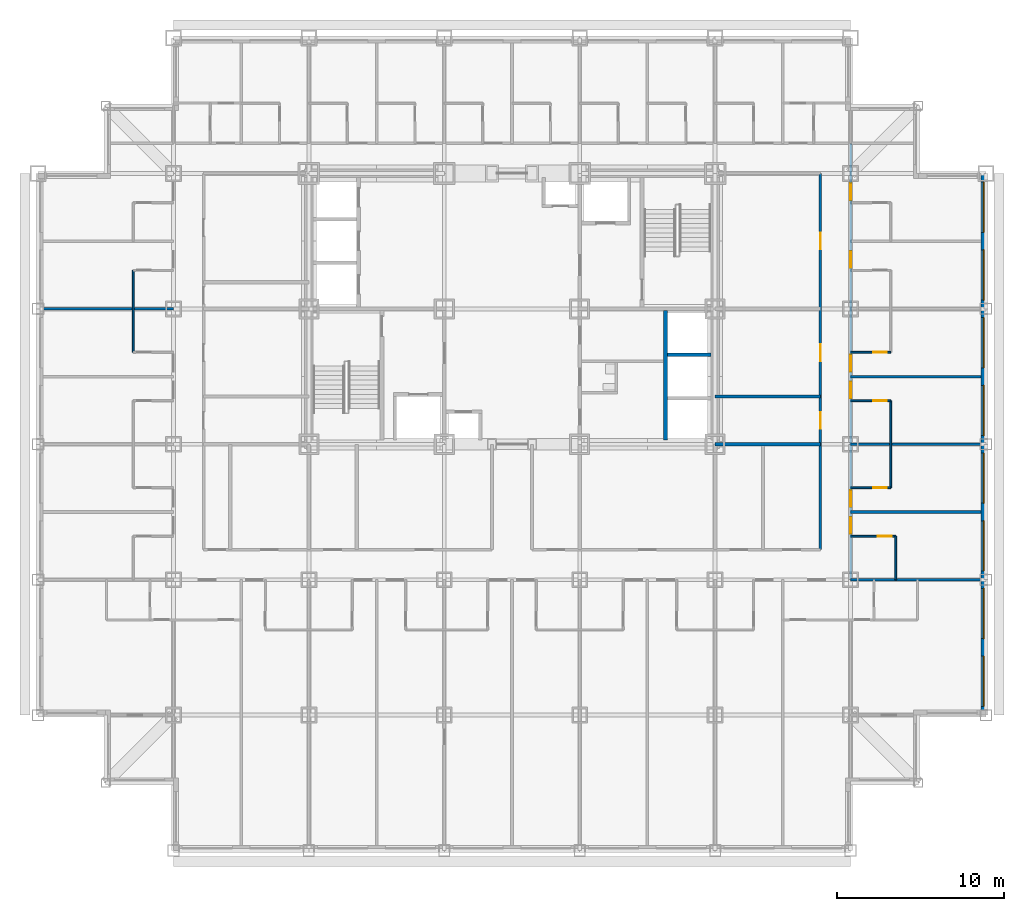
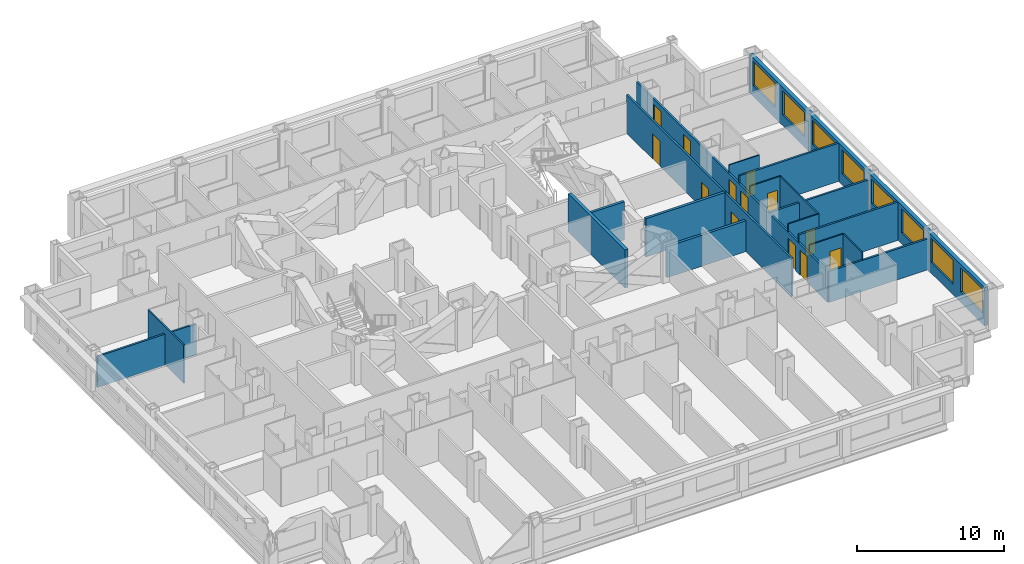
# One storey, part 7 of 13: 19 walls, 13 doors, 8 windows, 21 openings.
"""IFC4 building model written with IfcOpenShell, lengths in metres."""

from ifc_helpers import new_model, si_unit, direction, frame, frame_2d, origin, place, context, subcontext, project, spatial, rectangle, extrude, material, layer, layer_set, type_object, element, fill, save


model = new_model("IFC4")

# Units and contexts
model_context = context("Model", 3, precision=1e-05, world=origin(), true_north=direction((0.0, 1.0)))
body_context = subcontext(model_context, "Body", "Model", "MODEL_VIEW")
ifc_project = project(units=[si_unit("LENGTHUNIT", "METRE"), si_unit("AREAUNIT", "SQUARE_METRE"), si_unit("VOLUMEUNIT", "CUBIC_METRE"), si_unit("PLANEANGLEUNIT", "RADIAN"), si_unit("MASSUNIT", "GRAM", prefix="KILO")], contexts=[model_context])

# Site, building, storey
site_placement = place(None, origin())
site = spatial("IfcSite", under=ifc_project, at=site_placement, CompositionType="ELEMENT")
building_placement = place(site_placement, origin())
building = spatial("IfcBuilding", under=site, at=building_placement, Name="Kopane Lantern Tower", CompositionType="ELEMENT")
storey_placement = place(building_placement, frame((0.0, 0.0, 50.0)))
storey = spatial("IfcBuildingStorey", under=building, at=storey_placement, Name="L11", CompositionType="ELEMENT", Elevation=50.0)

# Walls
ifc_material_1 = material(Name="Moisture-resistant board on steel studs", Category="steel")
ifc_layer_1 = layer(ifc_material_1, 0.10009765625)
ifc_layer_set_1 = layer_set([ifc_layer_1], Name="BATHROOM WALL 100")
wall_type_1 = type_object("IfcWallType", Name="BATHROOM WALL 100", PredefinedType="PARTITIONING", material=ifc_layer_set_1)
wall_1_placement = place(storey_placement, frame((5.699951171875, 29.800048828125, 0.0), z_axis=(0.0, 0.0, 1.0), x_axis=(0.0, 1.0, 0.0)))
element("IfcWall", 1, at=wall_1_placement, inside=storey, type_object=wall_type_1, Name="Bathroom Wall 100 L11", PredefinedType="PARTITIONING", context=body_context, shape_type="SweptSolid", body=[
    extrude(rectangle(XDim=4.89990234375, YDim=0.10009765625, at=frame_2d((2.449951171875, 0.0))), origin(), (0.0, 0.0, 1.0), 3.18994140625),
])
wall_2_placement = place(storey_placement, frame((51.300048828125, 16.199951171875, 0.0), z_axis=(0.0, 0.0, 1.0), x_axis=(0.0, 1.0, 0.0)))
element("IfcWall", 2, at=wall_2_placement, inside=storey, type_object=wall_type_1, Name="Bathroom Wall 100 L11", PredefinedType="PARTITIONING", context=body_context, shape_type="SweptSolid", body=[
    extrude(rectangle(XDim=2.60009765625, YDim=0.10009765625, at=frame_2d((1.300048828125, 0.0))), origin(), (0.0, 0.0, 1.0), 3.18994140625),
])

# Wall, opening, door
wall_3_placement = place(storey_placement, frame((48.60009765625, 18.800048828125, 0.0), z_axis=(0.0, 0.0, 1.0), x_axis=(1.0, 0.0, 0.0)))
wall_3 = element("IfcWall", 3, at=wall_3_placement, inside=storey, type_object=wall_type_1, Name="Bathroom Wall 100 L11", PredefinedType="PARTITIONING", context=body_context, shape_type="SweptSolid", body=[
    extrude(rectangle(XDim=2.699951171875, YDim=0.10009765625, at=frame_2d((1.35009765625, 0.0))), origin(), (0.0, 0.0, 1.0), 3.18994140625),
])
opening_1_placement = place(wall_3_placement, frame((1.625, 0.0, 0.0)))
opening_1 = element("IfcOpeningElement", 4, at=opening_1_placement, cuts=wall_3, Name="Opening L11-061", PredefinedType="OPENING", context=body_context, shape_type="SweptSolid", body=[
    extrude(rectangle(XDim=0.85009765625, YDim=2.10009765625, at=frame_2d((0.425048828125, 1.050048828125))), frame((0.0, 0.06005859375, 0.0), z_axis=(0.0, -1.0, 0.0), x_axis=(1.0, 0.0, 0.0)), (0.0, 0.0, 1.0), 0.1201171875),
])
ifc_material_2 = material(Name="Timber door set", Category="wood")
door_type_1 = type_object("IfcDoorType", Name="DOOR D4 850x2100", OperationType="SINGLE_SWING_LEFT", PredefinedType="DOOR", material=ifc_material_2)
door_1_placement = place(opening_1_placement, origin())
door_1 = element("IfcDoor", 5, at=door_1_placement, inside=storey, type_object=door_type_1, Name="Door L11-061", OperationType="SINGLE_SWING_LEFT", OverallHeight=2.10009765625, OverallWidth=0.85009765625, PredefinedType="DOOR", context=body_context, shape_type="SweptSolid", body=[
    extrude(rectangle(XDim=0.85009765625, YDim=2.10009765625, at=frame_2d((0.425048828125, 1.050048828125))), frame((0.0, 0.02490234375, 0.0), z_axis=(0.0, -1.0, 0.0), x_axis=(1.0, 0.0, 0.0)), (0.0, 0.0, 1.0), 0.050048828125),
])
fill(opening_1, door_1)

# Wall
wall_4_placement = place(storey_placement, frame((51.0, 21.699951171875, 0.0), z_axis=(0.0, 0.0, 1.0), x_axis=(0.0, 1.0, 0.0)))
element("IfcWall", 6, at=wall_4_placement, inside=storey, type_object=wall_type_1, Name="Bathroom Wall 100 L11", PredefinedType="PARTITIONING", context=body_context, shape_type="SweptSolid", body=[
    extrude(rectangle(XDim=5.199951171875, YDim=0.10009765625, at=frame_2d((2.60009765625, 0.0))), origin(), (0.0, 0.0, 1.0), 3.18994140625),
])

# Wall, opening, door
wall_5_placement = place(storey_placement, frame((48.60009765625, 21.699951171875, 0.0), z_axis=(0.0, 0.0, 1.0), x_axis=(1.0, 0.0, 0.0)))
wall_5 = element("IfcWall", 7, at=wall_5_placement, inside=storey, type_object=wall_type_1, Name="Bathroom Wall 100 L11", PredefinedType="PARTITIONING", context=body_context, shape_type="SweptSolid", body=[
    extrude(rectangle(XDim=2.39990234375, YDim=0.10009765625, at=frame_2d((1.199951171875, 0.0))), origin(), (0.0, 0.0, 1.0), 3.18994140625),
])
opening_2_placement = place(wall_5_placement, frame((1.35009765625, 0.0, 0.0)))
opening_2 = element("IfcOpeningElement", 8, at=opening_2_placement, cuts=wall_5, Name="Opening L11-063", PredefinedType="OPENING", context=body_context, shape_type="SweptSolid", body=[
    extrude(rectangle(XDim=0.800048828125, YDim=2.10009765625, at=frame_2d((0.39990234375, 1.050048828125))), frame((0.0, 0.06005859375, 0.0), z_axis=(0.0, -1.0, 0.0), x_axis=(1.0, 0.0, 0.0)), (0.0, 0.0, 1.0), 0.1201171875),
])
ifc_material_3 = material(Name="Timber door set", Category="wood")
door_type_2 = type_object("IfcDoorType", Name="DOOR D2 800x2100", OperationType="SINGLE_SWING_LEFT", PredefinedType="DOOR", material=ifc_material_3)
door_2_placement = place(opening_2_placement, origin())
door_2 = element("IfcDoor", 9, at=door_2_placement, inside=storey, type_object=door_type_2, Name="Door L11-063", OperationType="SINGLE_SWING_RIGHT", OverallHeight=2.10009765625, OverallWidth=0.800048828125, PredefinedType="DOOR", context=body_context, shape_type="SweptSolid", body=[
    extrude(rectangle(XDim=0.800048828125, YDim=2.10009765625, at=frame_2d((0.39990234375, 1.050048828125))), frame((0.0, 0.02490234375, 0.0), z_axis=(0.0, -1.0, 0.0), x_axis=(1.0, 0.0, 0.0)), (0.0, 0.0, 1.0), 0.050048828125),
])
fill(opening_2, door_2)

wall_6_placement = place(storey_placement, frame((48.60009765625, 26.89990234375, 0.0), z_axis=(0.0, 0.0, 1.0), x_axis=(1.0, 0.0, 0.0)))
wall_6 = element("IfcWall", 10, at=wall_6_placement, inside=storey, type_object=wall_type_1, Name="Bathroom Wall 100 L11", PredefinedType="PARTITIONING", context=body_context, shape_type="SweptSolid", body=[
    extrude(rectangle(XDim=2.39990234375, YDim=0.10009765625, at=frame_2d((1.199951171875, 0.0))), origin(), (0.0, 0.0, 1.0), 3.18994140625),
])
opening_3_placement = place(wall_6_placement, frame((1.35009765625, 0.0, 0.0)))
opening_3 = element("IfcOpeningElement", 11, at=opening_3_placement, cuts=wall_6, Name="Opening L11-065", PredefinedType="OPENING", context=body_context, shape_type="SweptSolid", body=[
    extrude(rectangle(XDim=0.800048828125, YDim=2.10009765625, at=frame_2d((0.39990234375, 1.050048828125))), frame((0.0, 0.06005859375, 0.0), z_axis=(0.0, -1.0, 0.0), x_axis=(1.0, 0.0, 0.0)), (0.0, 0.0, 1.0), 0.1201171875),
])
door_3_placement = place(opening_3_placement, origin())
door_3 = element("IfcDoor", 12, at=door_3_placement, inside=storey, type_object=door_type_2, Name="Door L11-065", OperationType="SINGLE_SWING_LEFT", OverallHeight=2.10009765625, OverallWidth=0.800048828125, PredefinedType="DOOR", context=body_context, shape_type="SweptSolid", body=[
    extrude(rectangle(XDim=0.800048828125, YDim=2.10009765625, at=frame_2d((0.39990234375, 1.050048828125))), frame((0.0, 0.02490234375, 0.0), z_axis=(0.0, -1.0, 0.0), x_axis=(1.0, 0.0, 0.0)), (0.0, 0.0, 1.0), 0.050048828125),
])
fill(opening_3, door_3)

wall_7_placement = place(storey_placement, frame((48.60009765625, 29.800048828125, 0.0), z_axis=(0.0, 0.0, 1.0), x_axis=(1.0, 0.0, 0.0)))
wall_7 = element("IfcWall", 13, at=wall_7_placement, inside=storey, type_object=wall_type_1, Name="Bathroom Wall 100 L11", PredefinedType="PARTITIONING", context=body_context, shape_type="SweptSolid", body=[
    extrude(rectangle(XDim=2.39990234375, YDim=0.10009765625, at=frame_2d((1.199951171875, 0.0))), origin(), (0.0, 0.0, 1.0), 3.18994140625),
])
opening_4_placement = place(wall_7_placement, frame((1.35009765625, 0.0, 0.0)))
opening_4 = element("IfcOpeningElement", 14, at=opening_4_placement, cuts=wall_7, Name="Opening L11-067", PredefinedType="OPENING", context=body_context, shape_type="SweptSolid", body=[
    extrude(rectangle(XDim=0.800048828125, YDim=2.10009765625, at=frame_2d((0.39990234375, 1.050048828125))), frame((0.0, 0.06005859375, 0.0), z_axis=(0.0, -1.0, 0.0), x_axis=(1.0, 0.0, 0.0)), (0.0, 0.0, 1.0), 0.1201171875),
])
door_4_placement = place(opening_4_placement, origin())
door_4 = element("IfcDoor", 15, at=door_4_placement, inside=storey, type_object=door_type_2, Name="Door L11-067", OperationType="SINGLE_SWING_RIGHT", OverallHeight=2.10009765625, OverallWidth=0.800048828125, PredefinedType="DOOR", context=body_context, shape_type="SweptSolid", body=[
    extrude(rectangle(XDim=0.800048828125, YDim=2.10009765625, at=frame_2d((0.39990234375, 1.050048828125))), frame((0.0, 0.02490234375, 0.0), z_axis=(0.0, -1.0, 0.0), x_axis=(1.0, 0.0, 0.0)), (0.0, 0.0, 1.0), 0.050048828125),
])
fill(opening_4, door_4)

# Wall
ifc_material_4 = material(Name="Gypsum shaft wall EI 120", Category="gypsum")
ifc_layer_2 = layer(ifc_material_4, 0.25)
ifc_layer_set_2 = layer_set([ifc_layer_2], Name="CORE SHAFT WALL 250 EI 120")
wall_type_2 = type_object("IfcWallType", Name="CORE SHAFT WALL 250 EI 120", PredefinedType="SOLIDWALL", material=ifc_layer_set_2)
wall_8_placement = place(storey_placement, frame((37.52490234375, 24.550048828125, 0.0), z_axis=(0.0, 0.0, 1.0), x_axis=(0.0, 1.0, 0.0)))
element("IfcWall", 16, at=wall_8_placement, inside=storey, type_object=wall_type_2, Name="Core shaft wall L11 XLR", PredefinedType="SOLIDWALL", context=body_context, shape_type="SweptSolid", body=[
    extrude(rectangle(XDim=7.75, YDim=0.25, at=frame_2d((3.875, 0.0))), origin(), (0.0, 0.0, 1.0), 3.18994140625),
])

# Wall, openings, doors
ifc_material_5 = material(Name="Gypsum board on steel studs", Category="steel")
ifc_layer_3 = layer(ifc_material_5, 0.14990234375)
ifc_layer_set_3 = layer_set([ifc_layer_3], Name="CORRIDOR WALL 150 EI 60")
wall_type_3 = type_object("IfcWallType", Name="CORRIDOR WALL 150 EI 60", PredefinedType="PARTITIONING", material=ifc_layer_set_3)
wall_9_placement = place(storey_placement, frame((48.60009765625, 16.199951171875, 0.0), z_axis=(0.0, 0.0, 1.0), x_axis=(0.0, 1.0, 0.0)))
wall_9 = element("IfcWall", 17, at=wall_9_placement, inside=storey, type_object=wall_type_3, Name="Corridor Wall 150 Ei 60 L11", PredefinedType="PARTITIONING", context=body_context, shape_type="SweptSolid", body=[
    extrude(rectangle(XDim=26.10009765625, YDim=0.14990234375, at=frame_2d((13.050048828125, 0.0))), origin(), (0.0, 0.0, 1.0), 2.577880859375),
])
opening_5_placement = place(wall_9_placement, frame((2.75, 0.0, 0.0)))
opening_5 = element("IfcOpeningElement", 18, at=opening_5_placement, cuts=wall_9, Name="Opening L11-062", PredefinedType="OPENING", context=body_context, shape_type="SweptSolid", body=[
    extrude(rectangle(XDim=1.0, YDim=2.10009765625, at=frame_2d((0.5, 1.050048828125))), frame((0.0, 0.0849609375, 0.0), z_axis=(0.0, -1.0, 0.0), x_axis=(1.0, 0.0, 0.0)), (0.0, 0.0, 1.0), 0.169921875),
])
opening_6_placement = place(wall_9_placement, frame((4.35009765625, 0.0, 0.0)))
opening_6 = element("IfcOpeningElement", 19, at=opening_6_placement, cuts=wall_9, Name="Opening L11-064", PredefinedType="OPENING", context=body_context, shape_type="SweptSolid", body=[
    extrude(rectangle(XDim=1.0, YDim=2.10009765625, at=frame_2d((0.5, 1.050048828125))), frame((0.0, 0.0849609375, 0.0), z_axis=(0.0, -1.0, 0.0), x_axis=(1.0, 0.0, 0.0)), (0.0, 0.0, 1.0), 0.169921875),
])
opening_7_placement = place(wall_9_placement, frame((10.85009765625, 0.0, 0.0)))
opening_7 = element("IfcOpeningElement", 20, at=opening_7_placement, cuts=wall_9, Name="Opening L11-066", PredefinedType="OPENING", context=body_context, shape_type="SweptSolid", body=[
    extrude(rectangle(XDim=1.0, YDim=2.10009765625, at=frame_2d((0.5, 1.050048828125))), frame((0.0, 0.0849609375, 0.0), z_axis=(0.0, -1.0, 0.0), x_axis=(1.0, 0.0, 0.0)), (0.0, 0.0, 1.0), 0.169921875),
])
opening_8_placement = place(wall_9_placement, frame((12.449951171875, 0.0, 0.0)))
opening_8 = element("IfcOpeningElement", 21, at=opening_8_placement, cuts=wall_9, Name="Opening L11-068", PredefinedType="OPENING", context=body_context, shape_type="SweptSolid", body=[
    extrude(rectangle(XDim=1.0, YDim=2.10009765625, at=frame_2d((0.5, 1.050048828125))), frame((0.0, 0.0849609375, 0.0), z_axis=(0.0, -1.0, 0.0), x_axis=(1.0, 0.0, 0.0)), (0.0, 0.0, 1.0), 0.169921875),
])
opening_9_placement = place(wall_9_placement, frame((18.64990234375, 0.0, 0.0)))
opening_9 = element("IfcOpeningElement", 22, at=opening_9_placement, cuts=wall_9, Name="Opening L11-070", PredefinedType="OPENING", context=body_context, shape_type="SweptSolid", body=[
    extrude(rectangle(XDim=1.0, YDim=2.10009765625, at=frame_2d((0.5, 1.050048828125))), frame((0.0, 0.0849609375, 0.0), z_axis=(0.0, -1.0, 0.0), x_axis=(1.0, 0.0, 0.0)), (0.0, 0.0, 1.0), 0.169921875),
])
opening_10_placement = place(wall_9_placement, frame((22.699951171875, 0.0, 0.0)))
opening_10 = element("IfcOpeningElement", 23, at=opening_10_placement, cuts=wall_9, Name="Opening L11-072", PredefinedType="OPENING", context=body_context, shape_type="SweptSolid", body=[
    extrude(rectangle(XDim=1.0, YDim=2.10009765625, at=frame_2d((0.5, 1.050048828125))), frame((0.0, 0.0849609375, 0.0), z_axis=(0.0, -1.0, 0.0), x_axis=(1.0, 0.0, 0.0)), (0.0, 0.0, 1.0), 0.169921875),
])
ifc_material_6 = material(Name="Steel door set", Category="steel")
door_type_3 = type_object("IfcDoorType", Name="DOOR D1 1000x2100 FD30S", OperationType="SINGLE_SWING_LEFT", PredefinedType="DOOR", material=ifc_material_6)
door_5_placement = place(opening_5_placement, origin())
door_5 = element("IfcDoor", 24, at=door_5_placement, inside=storey, type_object=door_type_3, Name="Door L11-062", OperationType="SINGLE_SWING_RIGHT", OverallHeight=2.10009765625, OverallWidth=1.0, PredefinedType="DOOR", context=body_context, shape_type="SweptSolid", body=[
    extrude(rectangle(XDim=1.0, YDim=2.10009765625, at=frame_2d((0.5, 1.050048828125))), frame((0.0, 0.02490234375, 0.0), z_axis=(0.0, -1.0, 0.0), x_axis=(1.0, 0.0, 0.0)), (0.0, 0.0, 1.0), 0.050048828125),
])
fill(opening_5, door_5)
door_6_placement = place(opening_6_placement, origin())
door_6 = element("IfcDoor", 25, at=door_6_placement, inside=storey, type_object=door_type_3, Name="Door L11-064", OperationType="SINGLE_SWING_LEFT", OverallHeight=2.10009765625, OverallWidth=1.0, PredefinedType="DOOR", context=body_context, shape_type="SweptSolid", body=[
    extrude(rectangle(XDim=1.0, YDim=2.10009765625, at=frame_2d((0.5, 1.050048828125))), frame((0.0, 0.02490234375, 0.0), z_axis=(0.0, -1.0, 0.0), x_axis=(1.0, 0.0, 0.0)), (0.0, 0.0, 1.0), 0.050048828125),
])
fill(opening_6, door_6)
door_7_placement = place(opening_7_placement, origin())
door_7 = element("IfcDoor", 26, at=door_7_placement, inside=storey, type_object=door_type_3, Name="Door L11-066", OperationType="SINGLE_SWING_RIGHT", OverallHeight=2.10009765625, OverallWidth=1.0, PredefinedType="DOOR", context=body_context, shape_type="SweptSolid", body=[
    extrude(rectangle(XDim=1.0, YDim=2.10009765625, at=frame_2d((0.5, 1.050048828125))), frame((0.0, 0.02490234375, 0.0), z_axis=(0.0, -1.0, 0.0), x_axis=(1.0, 0.0, 0.0)), (0.0, 0.0, 1.0), 0.050048828125),
])
fill(opening_7, door_7)
door_8_placement = place(opening_8_placement, origin())
door_8 = element("IfcDoor", 27, at=door_8_placement, inside=storey, type_object=door_type_3, Name="Door L11-068", OperationType="SINGLE_SWING_LEFT", OverallHeight=2.10009765625, OverallWidth=1.0, PredefinedType="DOOR", context=body_context, shape_type="SweptSolid", body=[
    extrude(rectangle(XDim=1.0, YDim=2.10009765625, at=frame_2d((0.5, 1.050048828125))), frame((0.0, 0.02490234375, 0.0), z_axis=(0.0, -1.0, 0.0), x_axis=(1.0, 0.0, 0.0)), (0.0, 0.0, 1.0), 0.050048828125),
])
fill(opening_8, door_8)
door_9_placement = place(opening_9_placement, origin())
door_9 = element("IfcDoor", 28, at=door_9_placement, inside=storey, type_object=door_type_3, Name="Door L11-070", OperationType="SINGLE_SWING_RIGHT", OverallHeight=2.10009765625, OverallWidth=1.0, PredefinedType="DOOR", context=body_context, shape_type="SweptSolid", body=[
    extrude(rectangle(XDim=1.0, YDim=2.10009765625, at=frame_2d((0.5, 1.050048828125))), frame((0.0, 0.02490234375, 0.0), z_axis=(0.0, -1.0, 0.0), x_axis=(1.0, 0.0, 0.0)), (0.0, 0.0, 1.0), 0.050048828125),
])
fill(opening_9, door_9)
door_10_placement = place(opening_10_placement, origin())
door_10 = element("IfcDoor", 29, at=door_10_placement, inside=storey, type_object=door_type_3, Name="Door L11-072", OperationType="SINGLE_SWING_RIGHT", OverallHeight=2.10009765625, OverallWidth=1.0, PredefinedType="DOOR", context=body_context, shape_type="SweptSolid", body=[
    extrude(rectangle(XDim=1.0, YDim=2.10009765625, at=frame_2d((0.5, 1.050048828125))), frame((0.0, 0.02490234375, 0.0), z_axis=(0.0, -1.0, 0.0), x_axis=(1.0, 0.0, 0.0)), (0.0, 0.0, 1.0), 0.050048828125),
])
fill(opening_10, door_10)

wall_10_placement = place(storey_placement, frame((46.800048828125, 18.0, 0.0), z_axis=(0.0, 0.0, 1.0), x_axis=(0.0, 1.0, 0.0)))
wall_10 = element("IfcWall", 30, at=wall_10_placement, inside=storey, type_object=wall_type_3, Name="Corridor Wall 150 Ei 60 L11", PredefinedType="PARTITIONING", context=body_context, shape_type="SweptSolid", body=[
    extrude(rectangle(XDim=22.5, YDim=0.14990234375, at=frame_2d((11.25, 0.0))), origin(), (0.0, 0.0, 1.0), 3.18994140625),
])
opening_11_placement = place(wall_10_placement, frame((7.228515625, 0.0, 0.0)))
opening_11 = element("IfcOpeningElement", 31, at=opening_11_placement, cuts=wall_10, Name="Opening L11-005", PredefinedType="OPENING", context=body_context, shape_type="SweptSolid", body=[
    extrude(rectangle(XDim=1.0, YDim=2.10009765625, at=frame_2d((0.5, 1.050048828125))), frame((0.0, 0.0849609375, 0.0), z_axis=(0.0, -1.0, 0.0), x_axis=(1.0, 0.0, 0.0)), (0.0, 0.0, 1.0), 0.169921875),
])
opening_12_placement = place(wall_10_placement, frame((11.278564453125, 0.0, 0.0)))
opening_12 = element("IfcOpeningElement", 32, at=opening_12_placement, cuts=wall_10, Name="Opening L11-006", PredefinedType="OPENING", context=body_context, shape_type="SweptSolid", body=[
    extrude(rectangle(XDim=1.0, YDim=2.10009765625, at=frame_2d((0.5, 1.050048828125))), frame((0.0, 0.0849609375, 0.0), z_axis=(0.0, -1.0, 0.0), x_axis=(1.0, 0.0, 0.0)), (0.0, 0.0, 1.0), 0.169921875),
])
opening_13_placement = place(wall_10_placement, frame((17.949951171875, 0.0, 0.0)))
opening_13 = element("IfcOpeningElement", 33, at=opening_13_placement, cuts=wall_10, Name="Opening L11-007", PredefinedType="OPENING", context=body_context, shape_type="SweptSolid", body=[
    extrude(rectangle(XDim=1.0, YDim=2.10009765625, at=frame_2d((0.5, 1.050048828125))), frame((0.0, 0.0849609375, 0.0), z_axis=(0.0, -1.0, 0.0), x_axis=(1.0, 0.0, 0.0)), (0.0, 0.0, 1.0), 0.169921875),
])
ifc_material_7 = material(Name="Steel door set", Category="steel")
door_type_4 = type_object("IfcDoorType", Name="DOOR D5 1000x2100 FD60", OperationType="SINGLE_SWING_LEFT", PredefinedType="DOOR", material=ifc_material_7)
door_11_placement = place(opening_11_placement, origin())
door_11 = element("IfcDoor", 34, at=door_11_placement, inside=storey, type_object=door_type_4, Name="Door L11-005", OperationType="SINGLE_SWING_LEFT", OverallHeight=2.10009765625, OverallWidth=1.0, PredefinedType="DOOR", context=body_context, shape_type="SweptSolid", body=[
    extrude(rectangle(XDim=1.0, YDim=2.10009765625, at=frame_2d((0.5, 1.050048828125))), frame((0.0, 0.02490234375, 0.0), z_axis=(0.0, -1.0, 0.0), x_axis=(1.0, 0.0, 0.0)), (0.0, 0.0, 1.0), 0.050048828125),
])
fill(opening_11, door_11)
door_12_placement = place(opening_12_placement, origin())
door_12 = element("IfcDoor", 35, at=door_12_placement, inside=storey, type_object=door_type_4, Name="Door L11-006", OperationType="SINGLE_SWING_RIGHT", OverallHeight=2.10009765625, OverallWidth=1.0, PredefinedType="DOOR", context=body_context, shape_type="SweptSolid", body=[
    extrude(rectangle(XDim=1.0, YDim=2.10009765625, at=frame_2d((0.5, 1.050048828125))), frame((0.0, 0.02490234375, 0.0), z_axis=(0.0, -1.0, 0.0), x_axis=(1.0, 0.0, 0.0)), (0.0, 0.0, 1.0), 0.050048828125),
])
fill(opening_12, door_12)
door_13_placement = place(opening_13_placement, origin())
door_13 = element("IfcDoor", 36, at=door_13_placement, inside=storey, type_object=door_type_4, Name="Door L11-007", OperationType="SINGLE_SWING_LEFT", OverallHeight=2.10009765625, OverallWidth=1.0, PredefinedType="DOOR", context=body_context, shape_type="SweptSolid", body=[
    extrude(rectangle(XDim=1.0, YDim=2.10009765625, at=frame_2d((0.5, 1.050048828125))), frame((0.0, 0.02490234375, 0.0), z_axis=(0.0, -1.0, 0.0), x_axis=(1.0, 0.0, 0.0)), (0.0, 0.0, 1.0), 0.050048828125),
])
fill(opening_13, door_13)

# Walls
ifc_material_8 = material(Name="Gypsum board on steel studs", Category="steel")
ifc_layer_4 = layer(ifc_material_8, 0.14990234375)
ifc_layer_set_4 = layer_set([ifc_layer_4], Name="DEMISING WALL 150 EI 60")
wall_type_4 = type_object("IfcWallType", Name="DEMISING WALL 150 EI 60", PredefinedType="PARTITIONING", material=ifc_layer_set_4)
wall_11_placement = place(storey_placement, frame((8.10009765625, 32.39990234375, 0.0), z_axis=(0.0, 0.0, 1.0), x_axis=(-1.0, 0.0, 0.0)))
element("IfcWall", 37, at=wall_11_placement, inside=storey, type_object=wall_type_4, Name="Demising Wall 150 Ei 60 L11", PredefinedType="PARTITIONING", context=body_context, shape_type="SweptSolid", body=[
    extrude(rectangle(XDim=7.800048828125, YDim=0.14990234375, at=frame_2d((3.89990234375, 0.0))), origin(), (0.0, 0.0, 1.0), 2.577880859375),
])
wall_12_placement = place(storey_placement, frame((48.60009765625, 20.25, 0.0), z_axis=(0.0, 0.0, 1.0), x_axis=(1.0, 0.0, 0.0)))
element("IfcWall", 38, at=wall_12_placement, inside=storey, type_object=wall_type_4, Name="Demising Wall 150 Ei 60 L11", PredefinedType="PARTITIONING", context=body_context, shape_type="SweptSolid", body=[
    extrude(rectangle(XDim=7.7998046875, YDim=0.14990234375, at=frame_2d((3.89990234375, 0.0))), origin(), (0.0, 0.0, 1.0), 3.18994140625),
])
wall_13_placement = place(storey_placement, frame((48.60009765625, 24.300048828125, 0.0), z_axis=(0.0, 0.0, 1.0), x_axis=(1.0, 0.0, 0.0)))
element("IfcWall", 39, at=wall_13_placement, inside=storey, type_object=wall_type_4, Name="Demising Wall 150 Ei 60 L11", PredefinedType="PARTITIONING", context=body_context, shape_type="SweptSolid", body=[
    extrude(rectangle(XDim=7.7998046875, YDim=0.14990234375, at=frame_2d((3.89990234375, 0.0))), origin(), (0.0, 0.0, 1.0), 2.577880859375),
])
wall_14_placement = place(storey_placement, frame((48.60009765625, 28.35009765625, 0.0), z_axis=(0.0, 0.0, 1.0), x_axis=(1.0, 0.0, 0.0)))
element("IfcWall", 40, at=wall_14_placement, inside=storey, type_object=wall_type_4, Name="Demising Wall 150 Ei 60 L11", PredefinedType="PARTITIONING", context=body_context, shape_type="SweptSolid", body=[
    extrude(rectangle(XDim=7.7998046875, YDim=0.14990234375, at=frame_2d((3.89990234375, 0.0))), origin(), (0.0, 0.0, 1.0), 3.18994140625),
])
wall_15_placement = place(storey_placement, frame((48.60009765625, 16.199951171875, 0.0), z_axis=(0.0, 0.0, 1.0), x_axis=(1.0, 0.0, 0.0)))
element("IfcWall", 41, at=wall_15_placement, inside=storey, type_object=wall_type_4, Name="Demising Wall 150 Ei 60 L11", PredefinedType="PARTITIONING", context=body_context, shape_type="SweptSolid", body=[
    extrude(rectangle(XDim=7.7998046875, YDim=0.14990234375, at=frame_2d((3.89990234375, 0.0))), origin(), (0.0, 0.0, 1.0), 2.577880859375),
])

# Wall, openings, windows
ifc_material_9 = material(Name="Terracotta rainscreen on light steel framing", Category="masonry")
ifc_layer_5 = layer(ifc_material_9, 0.300048828125)
ifc_layer_set_5 = layer_set([ifc_layer_5], Name="EXTERNAL WALL EW1 300 TERRACOTTA")
wall_type_5 = type_object("IfcWallType", Name="EXTERNAL WALL EW1 300 TERRACOTTA", PredefinedType="SOLIDWALL", material=ifc_layer_set_5)
wall_16_placement = place(storey_placement, frame((56.550048828125, 8.39990234375, 0.0), z_axis=(0.0, 0.0, 1.0), x_axis=(0.0, 1.0, 0.0)))
wall_16 = element("IfcWall", 42, at=wall_16_placement, inside=storey, type_object=wall_type_5, Name="External wall E L11", PredefinedType="SOLIDWALL", context=body_context, shape_type="SweptSolid", body=[
    extrude(rectangle(XDim=32.10009765625, YDim=0.300048828125, at=frame_2d((16.050048828125, 0.0))), origin(), (0.0, 0.0, 1.0), 3.18994140625),
])
opening_14_placement = place(wall_16_placement, frame((0.22509765625, 0.0, 0.89990234375)))
opening_14 = element("IfcOpeningElement", 43, at=opening_14_placement, cuts=wall_16, Name="Opening WR300200", PredefinedType="OPENING", context=body_context, shape_type="SweptSolid", body=[
    extrude(rectangle(XDim=3.0, YDim=2.0, at=frame_2d((1.5, 1.0))), frame((0.0, 0.159912109375, 0.0), z_axis=(0.0, -1.0, 0.0), x_axis=(1.0, 0.0, 0.0)), (0.0, 0.0, 1.0), 0.320068359375),
])
opening_15_placement = place(wall_16_placement, frame((4.27490234375, 0.0, 0.89990234375)))
opening_15 = element("IfcOpeningElement", 44, at=opening_15_placement, cuts=wall_16, Name="Opening WR300200", PredefinedType="OPENING", context=body_context, shape_type="SweptSolid", body=[
    extrude(rectangle(XDim=3.0, YDim=2.0, at=frame_2d((1.5, 1.0))), frame((0.0, 0.159912109375, 0.0), z_axis=(0.0, -1.0, 0.0), x_axis=(1.0, 0.0, 0.0)), (0.0, 0.0, 1.0), 0.320068359375),
])
opening_16_placement = place(wall_16_placement, frame((8.324951171875, 0.0, 0.89990234375)))
opening_16 = element("IfcOpeningElement", 45, at=opening_16_placement, cuts=wall_16, Name="Opening WR300200", PredefinedType="OPENING", context=body_context, shape_type="SweptSolid", body=[
    extrude(rectangle(XDim=3.0, YDim=2.0, at=frame_2d((1.5, 1.0))), frame((0.0, 0.159912109375, 0.0), z_axis=(0.0, -1.0, 0.0), x_axis=(1.0, 0.0, 0.0)), (0.0, 0.0, 1.0), 0.320068359375),
])
opening_17_placement = place(wall_16_placement, frame((12.375, 0.0, 0.89990234375)))
opening_17 = element("IfcOpeningElement", 46, at=opening_17_placement, cuts=wall_16, Name="Opening WR300200", PredefinedType="OPENING", context=body_context, shape_type="SweptSolid", body=[
    extrude(rectangle(XDim=3.0, YDim=2.0, at=frame_2d((1.5, 1.0))), frame((0.0, 0.159912109375, 0.0), z_axis=(0.0, -1.0, 0.0), x_axis=(1.0, 0.0, 0.0)), (0.0, 0.0, 1.0), 0.320068359375),
])
opening_18_placement = place(wall_16_placement, frame((16.425048828125, 0.0, 0.89990234375)))
opening_18 = element("IfcOpeningElement", 47, at=opening_18_placement, cuts=wall_16, Name="Opening WR300200", PredefinedType="OPENING", context=body_context, shape_type="SweptSolid", body=[
    extrude(rectangle(XDim=3.0, YDim=2.0, at=frame_2d((1.5, 1.0))), frame((0.0, 0.159912109375, 0.0), z_axis=(0.0, -1.0, 0.0), x_axis=(1.0, 0.0, 0.0)), (0.0, 0.0, 1.0), 0.320068359375),
])
opening_19_placement = place(wall_16_placement, frame((20.47509765625, 0.0, 0.89990234375)))
opening_19 = element("IfcOpeningElement", 48, at=opening_19_placement, cuts=wall_16, Name="Opening WR300200", PredefinedType="OPENING", context=body_context, shape_type="SweptSolid", body=[
    extrude(rectangle(XDim=3.0, YDim=2.0, at=frame_2d((1.5, 1.0))), frame((0.0, 0.159912109375, 0.0), z_axis=(0.0, -1.0, 0.0), x_axis=(1.0, 0.0, 0.0)), (0.0, 0.0, 1.0), 0.320068359375),
])
opening_20_placement = place(wall_16_placement, frame((24.52490234375, 0.0, 0.89990234375)))
opening_20 = element("IfcOpeningElement", 49, at=opening_20_placement, cuts=wall_16, Name="Opening WR300200", PredefinedType="OPENING", context=body_context, shape_type="SweptSolid", body=[
    extrude(rectangle(XDim=3.0, YDim=2.0, at=frame_2d((1.5, 1.0))), frame((0.0, 0.159912109375, 0.0), z_axis=(0.0, -1.0, 0.0), x_axis=(1.0, 0.0, 0.0)), (0.0, 0.0, 1.0), 0.320068359375),
])
opening_21_placement = place(wall_16_placement, frame((28.574951171875, 0.0, 0.89990234375)))
opening_21 = element("IfcOpeningElement", 50, at=opening_21_placement, cuts=wall_16, Name="Opening WR300200", PredefinedType="OPENING", context=body_context, shape_type="SweptSolid", body=[
    extrude(rectangle(XDim=3.0, YDim=2.0, at=frame_2d((1.5, 1.0))), frame((0.0, 0.159912109375, 0.0), z_axis=(0.0, -1.0, 0.0), x_axis=(1.0, 0.0, 0.0)), (0.0, 0.0, 1.0), 0.320068359375),
])
ifc_material_10 = material(Name="Aluminium and clear glass", Category="aluminium")
window_type = type_object("IfcWindowType", Name="RIBBON WINDOW WR300200 3000x2000", PartitioningType="SINGLE_PANEL", PredefinedType="WINDOW", material=ifc_material_10)
window_1_placement = place(opening_14_placement, origin())
window_1 = element("IfcWindow", 51, at=window_1_placement, inside=storey, type_object=window_type, Name="Window E L11", OverallHeight=2.0, OverallWidth=3.0, PartitioningType="SINGLE_PANEL", PredefinedType="WINDOW", context=body_context, shape_type="SweptSolid", body=[
    extrude(rectangle(XDim=3.0, YDim=2.0, at=frame_2d((1.5, 1.0))), frame((0.0, 0.030029296875, 0.0), z_axis=(0.0, -1.0, 0.0), x_axis=(1.0, 0.0, 0.0)), (0.0, 0.0, 1.0), 0.06005859375),
])
fill(opening_14, window_1)
window_2_placement = place(opening_15_placement, origin())
window_2 = element("IfcWindow", 52, at=window_2_placement, inside=storey, type_object=window_type, Name="Window E L11", OverallHeight=2.0, OverallWidth=3.0, PartitioningType="SINGLE_PANEL", PredefinedType="WINDOW", context=body_context, shape_type="SweptSolid", body=[
    extrude(rectangle(XDim=3.0, YDim=2.0, at=frame_2d((1.5, 1.0))), frame((0.0, 0.030029296875, 0.0), z_axis=(0.0, -1.0, 0.0), x_axis=(1.0, 0.0, 0.0)), (0.0, 0.0, 1.0), 0.06005859375),
])
fill(opening_15, window_2)
window_3_placement = place(opening_16_placement, origin())
window_3 = element("IfcWindow", 53, at=window_3_placement, inside=storey, type_object=window_type, Name="Window E L11", OverallHeight=2.0, OverallWidth=3.0, PartitioningType="SINGLE_PANEL", PredefinedType="WINDOW", context=body_context, shape_type="SweptSolid", body=[
    extrude(rectangle(XDim=3.0, YDim=2.0, at=frame_2d((1.5, 1.0))), frame((0.0, 0.030029296875, 0.0), z_axis=(0.0, -1.0, 0.0), x_axis=(1.0, 0.0, 0.0)), (0.0, 0.0, 1.0), 0.06005859375),
])
fill(opening_16, window_3)
window_4_placement = place(opening_17_placement, origin())
window_4 = element("IfcWindow", 54, at=window_4_placement, inside=storey, type_object=window_type, Name="Window E L11", OverallHeight=2.0, OverallWidth=3.0, PartitioningType="SINGLE_PANEL", PredefinedType="WINDOW", context=body_context, shape_type="SweptSolid", body=[
    extrude(rectangle(XDim=3.0, YDim=2.0, at=frame_2d((1.5, 1.0))), frame((0.0, 0.030029296875, 0.0), z_axis=(0.0, -1.0, 0.0), x_axis=(1.0, 0.0, 0.0)), (0.0, 0.0, 1.0), 0.06005859375),
])
fill(opening_17, window_4)
window_5_placement = place(opening_18_placement, origin())
window_5 = element("IfcWindow", 55, at=window_5_placement, inside=storey, type_object=window_type, Name="Window E L11", OverallHeight=2.0, OverallWidth=3.0, PartitioningType="SINGLE_PANEL", PredefinedType="WINDOW", context=body_context, shape_type="SweptSolid", body=[
    extrude(rectangle(XDim=3.0, YDim=2.0, at=frame_2d((1.5, 1.0))), frame((0.0, 0.030029296875, 0.0), z_axis=(0.0, -1.0, 0.0), x_axis=(1.0, 0.0, 0.0)), (0.0, 0.0, 1.0), 0.06005859375),
])
fill(opening_18, window_5)
window_6_placement = place(opening_19_placement, origin())
window_6 = element("IfcWindow", 56, at=window_6_placement, inside=storey, type_object=window_type, Name="Window E L11", OverallHeight=2.0, OverallWidth=3.0, PartitioningType="SINGLE_PANEL", PredefinedType="WINDOW", context=body_context, shape_type="SweptSolid", body=[
    extrude(rectangle(XDim=3.0, YDim=2.0, at=frame_2d((1.5, 1.0))), frame((0.0, 0.030029296875, 0.0), z_axis=(0.0, -1.0, 0.0), x_axis=(1.0, 0.0, 0.0)), (0.0, 0.0, 1.0), 0.06005859375),
])
fill(opening_19, window_6)
window_7_placement = place(opening_20_placement, origin())
window_7 = element("IfcWindow", 57, at=window_7_placement, inside=storey, type_object=window_type, Name="Window E L11", OverallHeight=2.0, OverallWidth=3.0, PartitioningType="SINGLE_PANEL", PredefinedType="WINDOW", context=body_context, shape_type="SweptSolid", body=[
    extrude(rectangle(XDim=3.0, YDim=2.0, at=frame_2d((1.5, 1.0))), frame((0.0, 0.030029296875, 0.0), z_axis=(0.0, -1.0, 0.0), x_axis=(1.0, 0.0, 0.0)), (0.0, 0.0, 1.0), 0.06005859375),
])
fill(opening_20, window_7)
window_8_placement = place(opening_21_placement, origin())
window_8 = element("IfcWindow", 58, at=window_8_placement, inside=storey, type_object=window_type, Name="Window E L11", OverallHeight=2.0, OverallWidth=3.0, PartitioningType="SINGLE_PANEL", PredefinedType="WINDOW", context=body_context, shape_type="SweptSolid", body=[
    extrude(rectangle(XDim=3.0, YDim=2.0, at=frame_2d((1.5, 1.0))), frame((0.0, 0.030029296875, 0.0), z_axis=(0.0, -1.0, 0.0), x_axis=(1.0, 0.0, 0.0)), (0.0, 0.0, 1.0), 0.06005859375),
])
fill(opening_21, window_8)

# Walls
ifc_material_11 = material(Name="Concrete masonry", Category="masonry")
ifc_layer_6 = layer(ifc_material_11, 0.199951171875)
ifc_layer_set_6 = layer_set([ifc_layer_6], Name="PLANT ROOM WALL 200 EI 120")
wall_type_6 = type_object("IfcWallType", Name="PLANT ROOM WALL 200 EI 120", PredefinedType="SOLIDWALL", material=ifc_layer_set_6)
wall_17_placement = place(storey_placement, frame((46.800048828125, 27.156982421875, 0.0), z_axis=(0.0, 0.0, 1.0), x_axis=(-1.0, 0.0, 0.0)))
element("IfcWall", 59, at=wall_17_placement, inside=storey, type_object=wall_type_6, Name="Plant Room Wall 200 Ei 120 L11", PredefinedType="SOLIDWALL", context=body_context, shape_type="SweptSolid", body=[
    extrude(rectangle(XDim=6.300048828125, YDim=0.199951171875, at=frame_2d((3.14990234375, 0.0))), origin(), (0.0, 0.0, 1.0), 3.18994140625),
])
wall_18_placement = place(storey_placement, frame((40.5, 24.300048828125, 0.0), z_axis=(0.0, 0.0, 1.0), x_axis=(1.0, 0.0, 0.0)))
element("IfcWall", 60, at=wall_18_placement, inside=storey, type_object=wall_type_6, Name="Plant Room Wall 200 Ei 120 L11", PredefinedType="SOLIDWALL", context=body_context, shape_type="SweptSolid", body=[
    extrude(rectangle(XDim=6.300048828125, YDim=0.199951171875, at=frame_2d((3.14990234375, 0.0))), origin(), (0.0, 0.0, 1.0), 2.577880859375),
])
ifc_material_12 = material(Name="Gypsum shaft wall EI 120", Category="gypsum")
ifc_layer_7 = layer(ifc_material_12, 0.199951171875)
ifc_layer_set_7 = layer_set([ifc_layer_7], Name="SHAFT WALL 200 EI 120")
wall_type_7 = type_object("IfcWallType", Name="SHAFT WALL 200 EI 120", PredefinedType="SOLIDWALL", material=ifc_layer_set_7)
wall_19_placement = place(storey_placement, frame((37.64990234375, 29.64990234375, 0.0), z_axis=(0.0, 0.0, 1.0), x_axis=(1.0, 0.0, 0.0)))
element("IfcWall", 61, at=wall_19_placement, inside=storey, type_object=wall_type_7, Name="Core shaft wall L11 YLR23", PredefinedType="SOLIDWALL", context=body_context, shape_type="SweptSolid", body=[
    extrude(rectangle(XDim=2.60009765625, YDim=0.199951171875, at=frame_2d((1.300048828125, 0.0))), origin(), (0.0, 0.0, 1.0), 3.18994140625),
])

save(model, "model.ifc")
